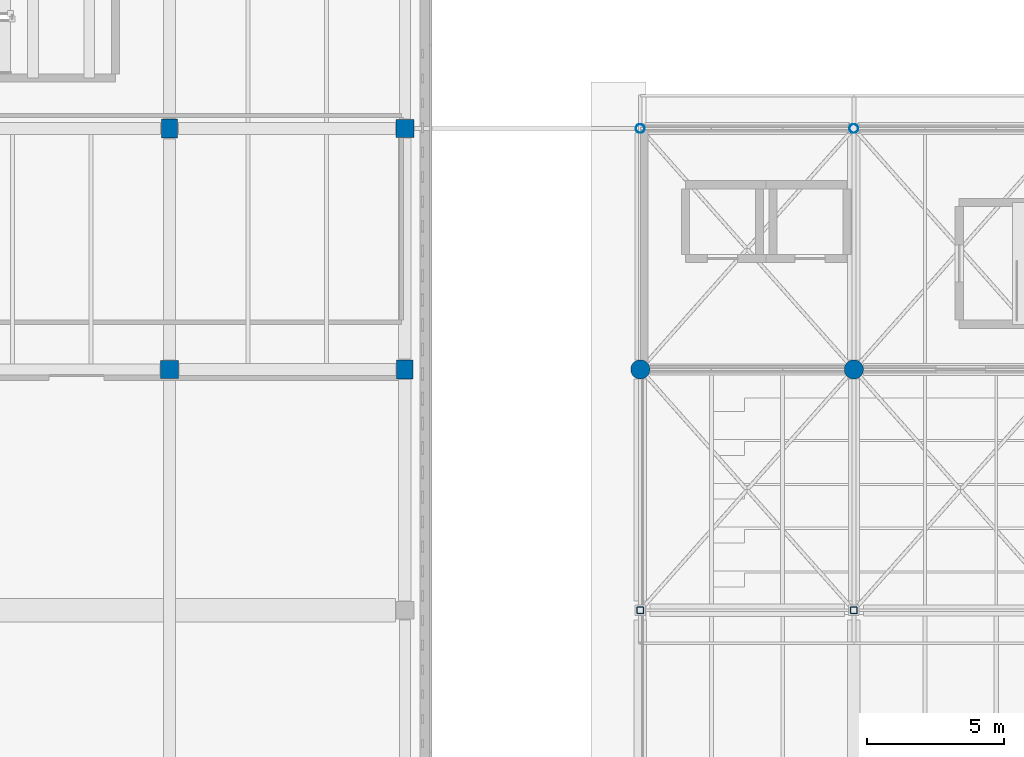
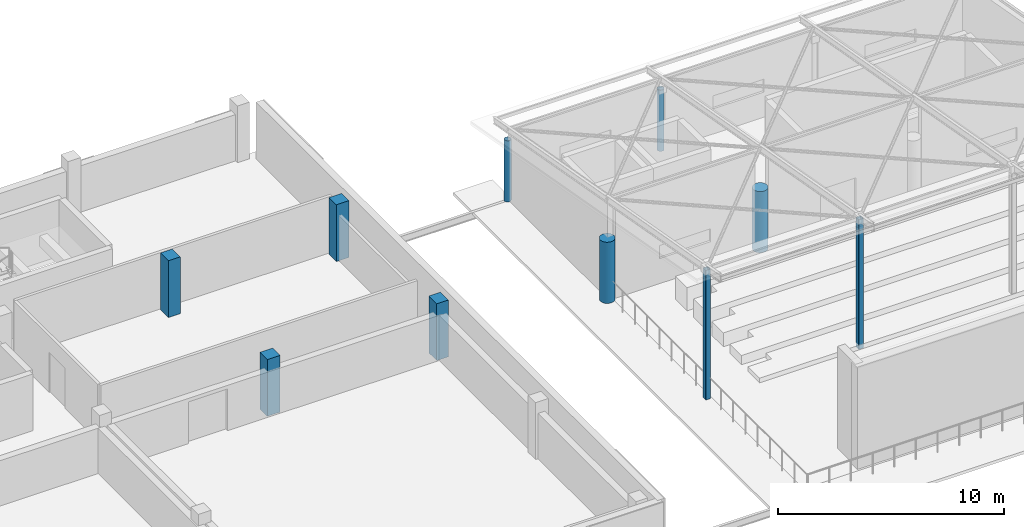
# One storey, part 2 of 34: 10 columns.
"""IFC4 building model written with IfcOpenShell, lengths in metres."""

from ifc_helpers import new_model, si_unit, direction, frame, origin, origin_2d, place, context, subcontext, project, spatial, rectangle, hollow_rectangle, circle, hollow_circle, extrude, material, material_profile, profile_set, type_object, element, save


model = new_model("IFC4")

# Units and contexts
model_context = context("Model", 3, precision=1e-05, world=origin(), true_north=direction((0.0, 1.0)))
body_context = subcontext(model_context, "Body", "Model", "MODEL_VIEW")
ifc_project = project(units=[si_unit("LENGTHUNIT", "METRE"), si_unit("AREAUNIT", "SQUARE_METRE"), si_unit("VOLUMEUNIT", "CUBIC_METRE"), si_unit("PLANEANGLEUNIT", "RADIAN"), si_unit("MASSUNIT", "GRAM", prefix="KILO")], contexts=[model_context])

# Site, building, storey
site_placement = place(None, origin())
site = spatial("IfcSite", under=ifc_project, at=site_placement, CompositionType="ELEMENT")
building_placement = place(site_placement, origin())
building = spatial("IfcBuilding", under=site, at=building_placement, Name="Varnakota Cinema and Media Centre", CompositionType="ELEMENT")
storey_placement = place(building_placement, frame((0.0, 0.0, 19.050048828125)))
storey = spatial("IfcBuildingStorey", under=building, at=storey_placement, Name="L05", CompositionType="ELEMENT", Elevation=19.050048828125)

# Columns
ifc_material_1 = material(Name="Concrete M40", Category="concrete")
ifc_material_profile_1 = material_profile(ifc_material_1, rectangle(XDim=0.60009765625, YDim=0.699951171875, at=origin_2d()), Name="RC 600x700")
ifc_profile_set_1 = profile_set([ifc_material_profile_1], Name="Concrete M40")
column_type_1 = type_object("IfcColumnType", Name="COL-RC-600x700", PredefinedType="COLUMN", material=ifc_profile_set_1)
for number, where, z_axis, x_axis, name in (
    (1, (34.39990234375, 26.39990234375, 0.0), (0.0, 0.0, 1.0), (1.0, 0.0, 0.0), "L05 column E/4"),
    (2, (43.0, 17.60009765625, 0.0), (0.0, 0.0, 1.0), (1.0, 0.0, 0.0), "L05 column F/3"),
):
    element("IfcColumn", number, at=place(storey_placement, frame(where, z_axis=z_axis, x_axis=x_axis)), inside=storey, type_object=column_type_1, Name=name, PredefinedType="COLUMN", context=body_context, shape_type="SweptSolid", body=[
        extrude(rectangle(XDim=0.60009765625, YDim=0.699951171875, at=origin_2d()), origin(), (0.0, 0.0, 1.0), 3.06005859375),
    ])
ifc_material_2 = material(Name="Concrete M40", Category="concrete")
ifc_material_profile_2 = material_profile(ifc_material_2, rectangle(XDim=0.64990234375, YDim=0.64990234375, at=origin_2d()), Name="RC 650x650")
ifc_profile_set_2 = profile_set([ifc_material_profile_2], Name="Concrete M40")
column_type_2 = type_object("IfcColumnType", Name="COL-RC-650x650", PredefinedType="COLUMN", material=ifc_profile_set_2)
for number, where, z_axis, x_axis, name in (
    (3, (34.39990234375, 17.60009765625, 0.0), (0.0, 0.0, 1.0), (1.0, 0.0, 0.0), "L05 column E/3"),
    (4, (43.0, 26.39990234375, 0.0), (0.0, 0.0, 1.0), (1.0, 0.0, 0.0), "L05 column F/4"),
):
    element("IfcColumn", number, at=place(storey_placement, frame(where, z_axis=z_axis, x_axis=x_axis)), inside=storey, type_object=column_type_2, Name=name, PredefinedType="COLUMN", context=body_context, shape_type="SweptSolid", body=[
        extrude(rectangle(XDim=0.64990234375, YDim=0.64990234375, at=origin_2d()), origin(), (0.0, 0.0, 1.0), 3.06005859375),
    ])
ifc_material_3 = material(Name="Concrete M40", Category="concrete")
ifc_material_profile_3 = material_profile(ifc_material_3, circle(Radius=0.35009765625, at=origin_2d()), Name="RC D700")
ifc_profile_set_3 = profile_set([ifc_material_profile_3], Name="Concrete M40")
column_type_3 = type_object("IfcColumnType", Name="COL-RC-D700", PredefinedType="COLUMN", material=ifc_profile_set_3)
for number, where, z_axis, x_axis, name in (
    (5, (51.60009765625, 17.60009765625, 0.0), (0.0, 0.0, 1.0), (1.0, 0.0, 0.0), "L05 column G/3"),
    (6, (59.39990234375, 17.60009765625, 0.0), (0.0, 0.0, 1.0), (1.0, 0.0, 0.0), "L05 column H/3"),
):
    element("IfcColumn", number, at=place(storey_placement, frame(where, z_axis=z_axis, x_axis=x_axis)), inside=storey, type_object=column_type_3, Name=name, PredefinedType="COLUMN", context=body_context, shape_type="SweptSolid", body=[
        extrude(circle(Radius=0.35009765625, at=origin_2d()), origin(), (0.0, 0.0, 1.0), 3.300048828125),
    ])
ifc_material_4 = material(Name="Structural steel S355 (YSt 355)", Category="steel")
ifc_material_profile_4 = material_profile(ifc_material_4, hollow_circle(Radius=0.161865234375, WallThickness=0.010009765625, at=origin_2d()), Name="CHS 323.9x10.0")
ifc_profile_set_4 = profile_set([ifc_material_profile_4], Name="Structural steel S355 (YSt 355)")
column_type_4 = type_object("IfcColumnType", Name="COL-ST-CHS324", PredefinedType="COLUMN", material=ifc_profile_set_4)
for number, where, z_axis, x_axis, name in (
    (7, (51.60009765625, 26.39990234375, 0.0), (0.0, 0.0, 1.0), (1.0, 0.0, 0.0), "L05 column G/4"),
    (8, (59.39990234375, 26.39990234375, 0.0), (0.0, 0.0, 1.0), (1.0, 0.0, 0.0), "L05 column H/4"),
):
    element("IfcColumn", number, at=place(storey_placement, frame(where, z_axis=z_axis, x_axis=x_axis)), inside=storey, type_object=column_type_4, Name=name, PredefinedType="COLUMN", context=body_context, shape_type="SweptSolid", body=[
        extrude(hollow_circle(Radius=0.161865234375, WallThickness=0.010009765625, at=origin_2d()), origin(), (0.0, 0.0, 1.0), 3.300048828125),
    ])
ifc_material_5 = material(Name="Structural steel S355 (YSt 355)", Category="steel")
ifc_material_profile_5 = material_profile(ifc_material_5, hollow_rectangle(XDim=0.25, YDim=0.25, WallThickness=0.010009765625, InnerFilletRadius=0.010009765625, OuterFilletRadius=0.02001953125, at=origin_2d()), Name="SHS 250x250x10")
ifc_profile_set_5 = profile_set([ifc_material_profile_5], Name="Structural steel S355 (YSt 355)")
column_type_5 = type_object("IfcColumnType", Name="COL-ST-SHS250", PredefinedType="COLUMN", material=ifc_profile_set_5)
for number, where, z_axis, x_axis, name in (
    (9, (51.60009765625, 8.800048828125, 0.0), (0.0, 0.0, 1.0), (1.0, 0.0, 0.0), "V3 amphitheatre canopy column 1 Y=8.8"),
    (10, (59.39990234375, 8.800048828125, 0.0), (0.0, 0.0, 1.0), (1.0, 0.0, 0.0), "V3 amphitheatre canopy column 2 Y=8.8"),
):
    element("IfcColumn", number, at=place(storey_placement, frame(where, z_axis=z_axis, x_axis=x_axis)), inside=storey, type_object=column_type_5, Name=name, PredefinedType="COLUMN", context=body_context, shape_type="SweptSolid", body=[
        extrude(hollow_rectangle(XDim=0.25, YDim=0.25, WallThickness=0.010009765625, InnerFilletRadius=0.010009765625, OuterFilletRadius=0.02001953125, at=origin_2d()), origin(), (0.0, 0.0, 1.0), 6.98388671875),
    ])

save(model, "model.ifc")
